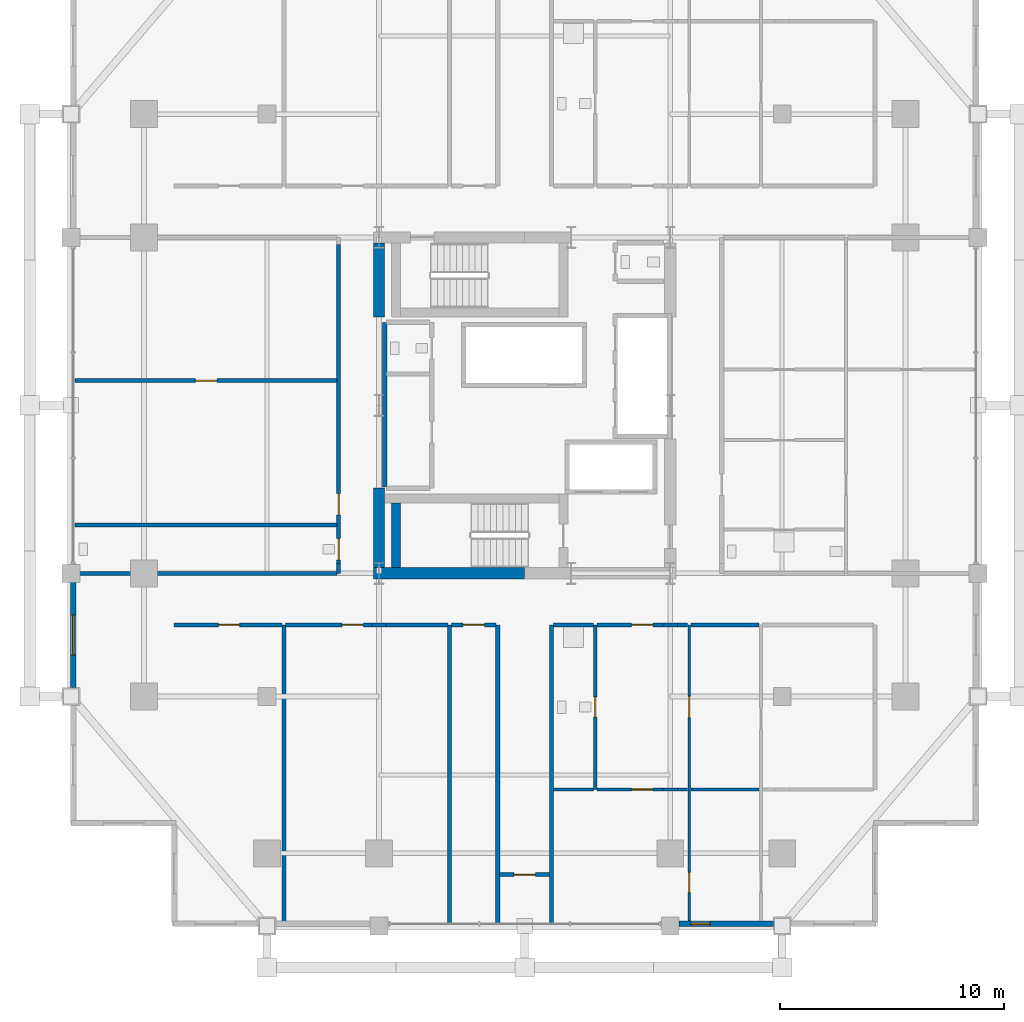
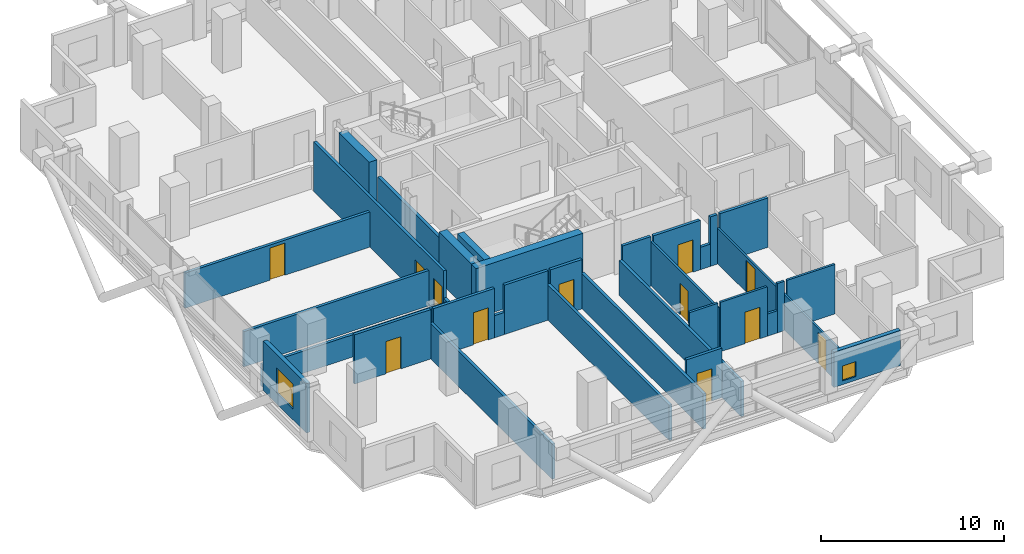
# One storey, part 19 of 25: 34 walls, 12 doors, 2 windows, 14 openings.
"""IFC4 building model written with IfcOpenShell, lengths in metres."""

from ifc_helpers import new_model, si_unit, direction, frame, frame_2d, origin, place, context, subcontext, project, spatial, rectangle, extrude, material, layer, layer_set, type_object, element, fill, save


model = new_model("IFC4")

# Units and contexts
model_context = context("Model", 3, precision=1e-05, world=origin(), true_north=direction((0.0, 1.0)))
body_context = subcontext(model_context, "Body", "Model", "MODEL_VIEW")
ifc_project = project(units=[si_unit("LENGTHUNIT", "METRE"), si_unit("AREAUNIT", "SQUARE_METRE"), si_unit("VOLUMEUNIT", "CUBIC_METRE"), si_unit("PLANEANGLEUNIT", "RADIAN"), si_unit("MASSUNIT", "GRAM", prefix="KILO")], contexts=[model_context])

# Site, building, storey
site_placement = place(None, origin())
site = spatial("IfcSite", under=ifc_project, at=site_placement, CompositionType="ELEMENT")
building_placement = place(site_placement, origin())
building = spatial("IfcBuilding", under=site, at=building_placement, Name="Barlavira Tower and Art Museum", CompositionType="ELEMENT")
storey_placement = place(building_placement, frame((0.0, 0.0, 162.0)))
storey = spatial("IfcBuildingStorey", under=building, at=storey_placement, Name="L41", CompositionType="ELEMENT", Elevation=162.0)

# Wall, openings, doors
ifc_material_1 = material(Name="Gypsum acoustic stud partition", Category="gypsum")
ifc_layer_1 = layer(ifc_material_1, 0.1201171875, Name="Gypsum acoustic stud partition")
ifc_layer_set_1 = layer_set([ifc_layer_1], Name="Gypsum acoustic stud partition")
wall_type_1 = type_object("IfcWallType", Name="Apartment Internal Acoustic Partition 120", PredefinedType="PARTITIONING", material=ifc_layer_set_1)
wall_1_placement = place(storey_placement, frame((7.35009765625, -23.14990234375, 0.0), z_axis=(0.0, 0.0, 1.0), x_axis=(0.0, 1.0, 0.0)))
wall_1 = element("IfcWall", 1, at=wall_1_placement, inside=storey, type_object=wall_type_1, Name="L41 Partition Wall 17", PredefinedType="PARTITIONING", context=body_context, shape_type="SweptSolid", body=[
    extrude(rectangle(XDim=13.349853515625, YDim=0.1201171875, at=frame_2d((6.6748046875, 0.0))), origin(), (0.0, 0.0, 1.0), 2.35302734375),
])
opening_1_placement = place(wall_1_placement, frame((9.205078125, 0.0, 0.0)))
opening_1 = element("IfcOpeningElement", 2, at=opening_1_placement, cuts=wall_1, Name="Opening D-02", PredefinedType="OPENING", context=body_context, shape_type="SweptSolid", body=[
    extrude(rectangle(XDim=0.949951171875, YDim=2.10009765625, at=frame_2d((0.47509765625, 1.050048828125))), frame((0.0, 0.070068359375, 0.0), z_axis=(0.0, -1.0, 0.0), x_axis=(1.0, 0.0, 0.0)), (0.0, 0.0, 1.0), 0.14013671875),
])
opening_2_placement = place(wall_1_placement, frame((1.39892578125, 0.0, 0.0)))
opening_2 = element("IfcOpeningElement", 3, at=opening_2_placement, cuts=wall_1, Name="Opening D-01", PredefinedType="OPENING", context=body_context, shape_type="SweptSolid", body=[
    extrude(rectangle(XDim=0.89990234375, YDim=2.10009765625, at=frame_2d((0.449951171875, 1.050048828125))), frame((0.0, 0.070068359375, 0.0), z_axis=(0.0, -1.0, 0.0), x_axis=(1.0, 0.0, 0.0)), (0.0, 0.0, 1.0), 0.14013671875),
])
ifc_material_2 = material(Name="Engineered coastal hardwood", Category="wood")
door_type_1 = type_object("IfcDoorType", Name="Internal Bedroom Timber Flush Door 900x2100", OperationType="NOTDEFINED", PredefinedType="DOOR", material=ifc_material_2)
door_1_placement = place(opening_2_placement, origin())
door_1 = element("IfcDoor", 4, at=door_1_placement, inside=storey, type_object=door_type_1, Name="Apartment SE1 Bedroom 1 Door", OperationType="SINGLE_SWING_RIGHT", OverallHeight=2.10009765625, OverallWidth=0.89990234375, PredefinedType="DOOR", context=body_context, shape_type="SweptSolid", body=[
    extrude(rectangle(XDim=0.89990234375, YDim=2.10009765625, at=frame_2d((0.449951171875, 1.050048828125))), frame((0.0, 0.02490234375, 0.0), z_axis=(0.0, -1.0, 0.0), x_axis=(1.0, 0.0, 0.0)), (0.0, 0.0, 1.0), 0.050048828125),
])
fill(opening_2, door_1)
door_type_2 = type_object("IfcDoorType", Name="Living and Salon Glazed-Leaf Door 950x2100", OperationType="NOTDEFINED", PredefinedType="DOOR", material=ifc_material_2)
door_2_placement = place(opening_1_placement, origin())
door_2 = element("IfcDoor", 5, at=door_2_placement, inside=storey, type_object=door_type_2, Name="Apartment SE1 Kitchen Door", OperationType="SINGLE_SWING_LEFT", OverallHeight=2.10009765625, OverallWidth=0.949951171875, PredefinedType="DOOR", context=body_context, shape_type="SweptSolid", body=[
    extrude(rectangle(XDim=0.949951171875, YDim=2.10009765625, at=frame_2d((0.47509765625, 1.050048828125))), frame((0.0, 0.02490234375, 0.0), z_axis=(0.0, -1.0, 0.0), x_axis=(1.0, 0.0, 0.0)), (0.0, 0.0, 1.0), 0.050048828125),
])
fill(opening_1, door_2)

# Walls
ifc_material_3 = material(Name="Concrete C60", Category="concrete")
ifc_layer_2 = layer(ifc_material_3, 0.5, Name="Concrete C60")
ifc_layer_set_2 = layer_set([ifc_layer_2], Name="Concrete C60")
wall_type_2 = type_object("IfcWallType", Name="Core Structural Shear Wall 500 Concrete C60", PredefinedType="SHEAR", material=ifc_layer_set_2)
wall_2_placement = place(storey_placement, frame((-6.75, -7.5, 0.0), z_axis=(0.0, 0.0, 1.0), x_axis=(1.0, 0.0, 0.0)))
element("IfcWall", 6, at=wall_2_placement, inside=storey, type_object=wall_type_2, Name="L41 Core Shear Wall CS-SW", PredefinedType="SHEAR", context=body_context, shape_type="SweptSolid", body=[
    extrude(rectangle(XDim=6.75, YDim=0.5, at=frame_2d((3.375, 0.0))), origin(), (0.0, 0.0, 1.0), 3.300048828125),
])
wall_3_placement = place(storey_placement, frame((-6.5, -7.25, 0.0), z_axis=(0.0, 0.0, 1.0), x_axis=(0.0, 1.0, 0.0)))
element("IfcWall", 7, at=wall_3_placement, inside=storey, type_object=wall_type_2, Name="L41 Core Shear Wall CS-W1", PredefinedType="SHEAR", context=body_context, shape_type="SweptSolid", body=[
    extrude(rectangle(XDim=3.550048828125, YDim=0.5, at=frame_2d((1.77490234375, 0.0))), origin(), (0.0, 0.0, 1.0), 3.300048828125),
])
wall_4_placement = place(storey_placement, frame((-6.5, 3.949951171875, 0.0), z_axis=(0.0, 0.0, 1.0), x_axis=(0.0, 1.0, 0.0)))
element("IfcWall", 8, at=wall_4_placement, inside=storey, type_object=wall_type_2, Name="L41 Core Shear Wall CS-W2", PredefinedType="SHEAR", context=body_context, shape_type="SweptSolid", body=[
    extrude(rectangle(XDim=3.300048828125, YDim=0.5, at=frame_2d((1.64990234375, 0.0))), origin(), (0.0, 0.0, 1.0), 3.300048828125),
])
ifc_material_4 = material(Name="Autoclaved aerated concrete masonry", Category="masonry")
ifc_layer_3 = layer(ifc_material_4, 0.199951171875, Name="Autoclaved aerated concrete masonry")
ifc_layer_set_3 = layer_set([ifc_layer_3], Name="Autoclaved aerated concrete masonry")
wall_type_3 = type_object("IfcWallType", Name="Fire Compartment and Shaft Wall 200", PredefinedType="SOLIDWALL", material=ifc_layer_set_3)
wall_5_placement = place(storey_placement, frame((-6.25, -3.639892578125, 0.0), z_axis=(0.0, 0.0, 1.0), x_axis=(0.0, 1.0, 0.0)))
element("IfcWall", 9, at=wall_5_placement, inside=storey, type_object=wall_type_3, Name="L41 Partition Wall 6", PredefinedType="SOLIDWALL", context=body_context, shape_type="SweptSolid", body=[
    extrude(rectangle(XDim=7.33984375, YDim=0.199951171875, at=frame_2d((3.669921875, 0.0))), origin(), (0.0, 0.0, 1.0), 2.35302734375),
])
ifc_layer_4 = layer(ifc_material_1, 0.179931640625, Name="Gypsum acoustic stud partition")
ifc_layer_set_4 = layer_set([ifc_layer_4], Name="Gypsum acoustic stud partition")
wall_type_4 = type_object("IfcWallType", Name="Inter-Tenancy Party Partition Wall 180", PredefinedType="PARTITIONING", material=ifc_layer_set_4)
wall_6_placement = place(storey_placement, frame((-10.75, -23.14990234375, 0.0), z_axis=(0.0, 0.0, 1.0), x_axis=(0.0, 1.0, 0.0)))
element("IfcWall", 10, at=wall_6_placement, inside=storey, type_object=wall_type_4, Name="L41 Partition Wall 1", PredefinedType="PARTITIONING", context=body_context, shape_type="SweptSolid", body=[
    extrude(rectangle(XDim=13.349853515625, YDim=0.179931640625, at=frame_2d((6.6748046875, 0.0))), origin(), (0.0, 0.0, 1.0), 2.35302734375),
])
wall_7_placement = place(storey_placement, frame((-8.300048828125, -7.5, 0.0), z_axis=(0.0, 0.0, 1.0), x_axis=(0.0, 1.0, 0.0)))
element("IfcWall", 11, at=wall_7_placement, inside=storey, type_object=wall_type_4, Name="L41 Partition Wall 3", PredefinedType="PARTITIONING", context=body_context, shape_type="SweptSolid", body=[
    extrude(rectangle(XDim=0.449951171875, YDim=0.179931640625, at=frame_2d((0.22509765625, 0.0))), origin(), (0.0, 0.0, 1.0), 1.485107421875),
])

# Wall, openings, doors
wall_8_placement = place(storey_placement, frame((-8.300048828125, -7.050048828125, 0.0), z_axis=(0.0, 0.0, 1.0), x_axis=(0.0, 1.0, 0.0)))
wall_8 = element("IfcWall", 12, at=wall_8_placement, inside=storey, type_object=wall_type_4, Name="L41 Partition Wall 4", PredefinedType="PARTITIONING", context=body_context, shape_type="SweptSolid", body=[
    extrude(rectangle(XDim=14.235107421875, YDim=0.179931640625, at=frame_2d((7.11767578125, 0.0))), origin(), (0.0, 0.0, 1.0), 3.300048828125),
])
opening_3_placement = place(wall_8_placement, frame((0.155029296875, 0.0, 0.0)))
opening_3 = element("IfcOpeningElement", 13, at=opening_3_placement, cuts=wall_8, Name="Opening FD-60", PredefinedType="OPENING", context=body_context, shape_type="SweptSolid", body=[
    extrude(rectangle(XDim=0.949951171875, YDim=2.14990234375, at=frame_2d((0.47509765625, 1.074951171875))), frame((0.0, 0.10009765625, 0.0), z_axis=(0.0, -1.0, 0.0), x_axis=(1.0, 0.0, 0.0)), (0.0, 0.0, 1.0), 0.199951171875),
])
opening_4_placement = place(wall_8_placement, frame((2.155029296875, 0.0, 0.0)))
opening_4 = element("IfcOpeningElement", 14, at=opening_4_placement, cuts=wall_8, Name="Opening FD-60", PredefinedType="OPENING", context=body_context, shape_type="SweptSolid", body=[
    extrude(rectangle(XDim=0.949951171875, YDim=2.14990234375, at=frame_2d((0.47509765625, 1.074951171875))), frame((0.0, 0.10009765625, 0.0), z_axis=(0.0, -1.0, 0.0), x_axis=(1.0, 0.0, 0.0)), (0.0, 0.0, 1.0), 0.199951171875),
])
ifc_material_5 = material(Name="Brushed stainless steel", Category="steel")
door_type_3 = type_object("IfcDoorType", Name="Apartment Entrance and Riser Fire Door 950x2150 FD60S", OperationType="NOTDEFINED", PredefinedType="DOOR", material=ifc_material_5)
door_3_placement = place(opening_3_placement, origin())
door_3 = element("IfcDoor", 15, at=door_3_placement, inside=storey, type_object=door_type_3, Name="Wellness Changing and Accessible Shower WC Door", OperationType="SINGLE_SWING_LEFT", OverallHeight=2.14990234375, OverallWidth=0.949951171875, PredefinedType="DOOR", context=body_context, shape_type="SweptSolid", body=[
    extrude(rectangle(XDim=0.949951171875, YDim=2.14990234375, at=frame_2d((0.47509765625, 1.074951171875))), frame((0.0, 0.02490234375, 0.0), z_axis=(0.0, -1.0, 0.0), x_axis=(1.0, 0.0, 0.0)), (0.0, 0.0, 1.0), 0.050048828125),
])
fill(opening_3, door_3)
door_4_placement = place(opening_4_placement, origin())
door_4 = element("IfcDoor", 16, at=door_4_placement, inside=storey, type_object=door_type_3, Name="Resident Ocean-View Fitness Studio Door", OperationType="SINGLE_SWING_RIGHT", OverallHeight=2.14990234375, OverallWidth=0.949951171875, PredefinedType="DOOR", context=body_context, shape_type="SweptSolid", body=[
    extrude(rectangle(XDim=0.949951171875, YDim=2.14990234375, at=frame_2d((0.47509765625, 1.074951171875))), frame((0.0, 0.02490234375, 0.0), z_axis=(0.0, -1.0, 0.0), x_axis=(1.0, 0.0, 0.0)), (0.0, 0.0, 1.0), 0.050048828125),
])
fill(opening_4, door_4)

# Walls
for number, where, z_axis, x_axis, name in (
    (17, (-3.35009765625, -23.14990234375, 0.0), (0.0, 0.0, 1.0), (0.0, 1.0, 0.0), "L41 Partition Wall 8"),
    (18, (-1.199951171875, -23.14990234375, 0.0), (0.0, 0.0, 1.0), (0.0, 1.0, 0.0), "L41 Partition Wall 10"),
    (19, (1.199951171875, -23.14990234375, 0.0), (0.0, 0.0, 1.0), (0.0, 1.0, 0.0), "L41 Partition Wall 12"),
):
    element("IfcWall", number, at=place(storey_placement, frame(where, z_axis=z_axis, x_axis=x_axis)), inside=storey, type_object=wall_type_4, Name=name, PredefinedType="PARTITIONING", context=body_context, shape_type="SweptSolid", body=[
        extrude(rectangle(XDim=13.349853515625, YDim=0.179931640625, at=frame_2d((6.6748046875, 0.0))), origin(), (0.0, 0.0, 1.0), 2.35302734375),
    ])

# Wall, opening, door
wall_9_placement = place(storey_placement, frame((-1.1201171875, -20.949951171875, 0.0), z_axis=(0.0, 0.0, 1.0), x_axis=(1.0, 0.0, 0.0)))
wall_9 = element("IfcWall", 20, at=wall_9_placement, inside=storey, type_object=wall_type_4, Name="L41 Partition Wall 33", PredefinedType="PARTITIONING", context=body_context, shape_type="SweptSolid", body=[
    extrude(rectangle(XDim=2.240234375, YDim=0.179931640625, at=frame_2d((1.1201171875, 0.0))), origin(), (0.0, 0.0, 1.0), 3.300048828125),
])
opening_5_placement = place(wall_9_placement, frame((0.64501953125, 0.0, 0.0)))
opening_5 = element("IfcOpeningElement", 21, at=opening_5_placement, cuts=wall_9, Name="Opening FD-60", PredefinedType="OPENING", context=body_context, shape_type="SweptSolid", body=[
    extrude(rectangle(XDim=0.949951171875, YDim=2.14990234375, at=frame_2d((0.47509765625, 1.074951171875))), frame((0.0, 0.10009765625, 0.0), z_axis=(0.0, -1.0, 0.0), x_axis=(1.0, 0.0, 0.0)), (0.0, 0.0, 1.0), 0.199951171875),
])
door_5_placement = place(opening_5_placement, origin())
door_5 = element("IfcDoor", 22, at=door_5_placement, inside=storey, type_object=door_type_3, Name="L41 South Horizon Reading Alcove Door", OperationType="SINGLE_SWING_LEFT", OverallHeight=2.14990234375, OverallWidth=0.949951171875, PredefinedType="DOOR", context=body_context, shape_type="SweptSolid", body=[
    extrude(rectangle(XDim=0.949951171875, YDim=2.14990234375, at=frame_2d((0.47509765625, 1.074951171875))), frame((0.0, 0.02490234375, 0.0), z_axis=(0.0, -1.0, 0.0), x_axis=(1.0, 0.0, 0.0)), (0.0, 0.0, 1.0), 0.050048828125),
])
fill(opening_5, door_5)

wall_10_placement = place(storey_placement, frame((-15.64990234375, -9.800048828125, 0.0), z_axis=(0.0, 0.0, 1.0), x_axis=(1.0, 0.0, 0.0)))
wall_10 = element("IfcWall", 23, at=wall_10_placement, inside=storey, type_object=wall_type_4, Name="L41 Partition Wall 42", PredefinedType="PARTITIONING", context=body_context, shape_type="SweptSolid", body=[
    extrude(rectangle(XDim=4.81982421875, YDim=0.179931640625, at=frame_2d((2.409912109375, 0.0))), origin(), (0.0, 0.0, 1.0), 3.300048828125),
])
opening_6_placement = place(wall_10_placement, frame((1.97509765625, 0.0, 0.0)))
opening_6 = element("IfcOpeningElement", 24, at=opening_6_placement, cuts=wall_10, Name="Opening FD-60", PredefinedType="OPENING", context=body_context, shape_type="SweptSolid", body=[
    extrude(rectangle(XDim=0.949951171875, YDim=2.14990234375, at=frame_2d((0.47509765625, 1.074951171875))), frame((0.0, 0.10009765625, 0.0), z_axis=(0.0, -1.0, 0.0), x_axis=(1.0, 0.0, 0.0)), (0.0, 0.0, 1.0), 0.199951171875),
])
door_6_placement = place(opening_6_placement, origin())
door_6 = element("IfcDoor", 25, at=door_6_placement, inside=storey, type_object=door_type_3, Name="Resident Sky Coworking Studio Door", OperationType="SINGLE_SWING_RIGHT", OverallHeight=2.14990234375, OverallWidth=0.949951171875, PredefinedType="DOOR", context=body_context, shape_type="SweptSolid", body=[
    extrude(rectangle(XDim=0.949951171875, YDim=2.14990234375, at=frame_2d((0.47509765625, 1.074951171875))), frame((0.0, 0.02490234375, 0.0), z_axis=(0.0, -1.0, 0.0), x_axis=(1.0, 0.0, 0.0)), (0.0, 0.0, 1.0), 0.050048828125),
])
fill(opening_6, door_6)

wall_11_placement = place(storey_placement, frame((-10.669921875, -9.800048828125, 0.0), z_axis=(0.0, 0.0, 1.0), x_axis=(1.0, 0.0, 0.0)))
wall_11 = element("IfcWall", 26, at=wall_11_placement, inside=storey, type_object=wall_type_4, Name="L41 Partition Wall 43", PredefinedType="PARTITIONING", context=body_context, shape_type="SweptSolid", body=[
    extrude(rectangle(XDim=3.85498046875, YDim=0.179931640625, at=frame_2d((1.927490234375, 0.0))), origin(), (0.0, 0.0, 1.0), 3.300048828125),
])
opening_7_placement = place(wall_11_placement, frame((2.5185546875, 0.0, 0.0)))
opening_7 = element("IfcOpeningElement", 27, at=opening_7_placement, cuts=wall_11, Name="Opening FD-60", PredefinedType="OPENING", context=body_context, shape_type="SweptSolid", body=[
    extrude(rectangle(XDim=0.949951171875, YDim=2.14990234375, at=frame_2d((0.47509765625, 1.074951171875))), frame((0.0, 0.10009765625, 0.0), z_axis=(0.0, -1.0, 0.0), x_axis=(1.0, 0.0, 0.0)), (0.0, 0.0, 1.0), 0.199951171875),
])
door_7_placement = place(opening_7_placement, origin())
door_7 = element("IfcDoor", 28, at=door_7_placement, inside=storey, type_object=door_type_3, Name="Atlantic Horizon Boardroom Door", OperationType="SINGLE_SWING_LEFT", OverallHeight=2.14990234375, OverallWidth=0.949951171875, PredefinedType="DOOR", context=body_context, shape_type="SweptSolid", body=[
    extrude(rectangle(XDim=0.949951171875, YDim=2.14990234375, at=frame_2d((0.47509765625, 1.074951171875))), frame((0.0, 0.02490234375, 0.0), z_axis=(0.0, -1.0, 0.0), x_axis=(1.0, 0.0, 0.0)), (0.0, 0.0, 1.0), 0.050048828125),
])
fill(opening_7, door_7)

# Walls
wall_12_placement = place(storey_placement, frame((-6.81494140625, -9.800048828125, 0.0), z_axis=(0.0, 0.0, 1.0), x_axis=(1.0, 0.0, 0.0)))
element("IfcWall", 29, at=wall_12_placement, inside=storey, type_object=wall_type_4, Name="L41 Partition Wall 44", PredefinedType="PARTITIONING", context=body_context, shape_type="SweptSolid", body=[
    extrude(rectangle(XDim=0.6298828125, YDim=0.179931640625, at=frame_2d((0.31494140625, 0.0))), origin(), (0.0, 0.0, 1.0), 1.485107421875),
])
wall_13_placement = place(storey_placement, frame((-6.18505859375, -9.800048828125, 0.0), z_axis=(0.0, 0.0, 1.0), x_axis=(1.0, 0.0, 0.0)))
element("IfcWall", 30, at=wall_13_placement, inside=storey, type_object=wall_type_4, Name="L41 Partition Wall 45", PredefinedType="PARTITIONING", context=body_context, shape_type="SweptSolid", body=[
    extrude(rectangle(XDim=2.755126953125, YDim=0.179931640625, at=frame_2d((1.37744140625, 0.0))), origin(), (0.0, 0.0, 1.0), 3.300048828125),
])

# Wall, opening, door
wall_14_placement = place(storey_placement, frame((-3.27001953125, -9.800048828125, 0.0), z_axis=(0.0, 0.0, 1.0), x_axis=(1.0, 0.0, 0.0)))
wall_14 = element("IfcWall", 31, at=wall_14_placement, inside=storey, type_object=wall_type_4, Name="L41 Partition Wall 46", PredefinedType="PARTITIONING", context=body_context, shape_type="SweptSolid", body=[
    extrude(rectangle(XDim=1.989990234375, YDim=0.179931640625, at=frame_2d((0.9951171875, 0.0))), origin(), (0.0, 0.0, 1.0), 3.300048828125),
])
opening_8_placement = place(wall_14_placement, frame((0.52490234375, 0.0, 0.0)))
opening_8 = element("IfcOpeningElement", 32, at=opening_8_placement, cuts=wall_14, Name="Opening FD-60", PredefinedType="OPENING", context=body_context, shape_type="SweptSolid", body=[
    extrude(rectangle(XDim=0.949951171875, YDim=2.14990234375, at=frame_2d((0.47509765625, 1.074951171875))), frame((0.0, 0.10009765625, 0.0), z_axis=(0.0, -1.0, 0.0), x_axis=(1.0, 0.0, 0.0)), (0.0, 0.0, 1.0), 0.199951171875),
])
door_8_placement = place(opening_8_placement, origin())
door_8 = element("IfcDoor", 33, at=door_8_placement, inside=storey, type_object=door_type_3, Name="Shared Coworking Espresso Pantry Door", OperationType="SINGLE_SWING_RIGHT", OverallHeight=2.14990234375, OverallWidth=0.949951171875, PredefinedType="DOOR", context=body_context, shape_type="SweptSolid", body=[
    extrude(rectangle(XDim=0.949951171875, YDim=2.14990234375, at=frame_2d((0.47509765625, 1.074951171875))), frame((0.0, 0.02490234375, 0.0), z_axis=(0.0, -1.0, 0.0), x_axis=(1.0, 0.0, 0.0)), (0.0, 0.0, 1.0), 0.050048828125),
])
fill(opening_8, door_8)

# Wall
wall_15_placement = place(storey_placement, frame((1.280029296875, -9.800048828125, 0.0), z_axis=(0.0, 0.0, 1.0), x_axis=(1.0, 0.0, 0.0)))
element("IfcWall", 34, at=wall_15_placement, inside=storey, type_object=wall_type_4, Name="L41 Partition Wall 47", PredefinedType="PARTITIONING", context=body_context, shape_type="SweptSolid", body=[
    extrude(rectangle(XDim=1.7900390625, YDim=0.179931640625, at=frame_2d((0.89501953125, 0.0))), origin(), (0.0, 0.0, 1.0), 3.300048828125),
])

# Wall, opening, door
wall_16_placement = place(storey_placement, frame((3.22998046875, -9.800048828125, 0.0), z_axis=(0.0, 0.0, 1.0), x_axis=(1.0, 0.0, 0.0)))
wall_16 = element("IfcWall", 35, at=wall_16_placement, inside=storey, type_object=wall_type_4, Name="L41 Partition Wall 48", PredefinedType="PARTITIONING", context=body_context, shape_type="SweptSolid", body=[
    extrude(rectangle(XDim=2.955078125, YDim=0.179931640625, at=frame_2d((1.4775390625, 0.0))), origin(), (0.0, 0.0, 1.0), 3.300048828125),
])
opening_9_placement = place(wall_16_placement, frame((1.544921875, 0.0, 0.0)))
opening_9 = element("IfcOpeningElement", 36, at=opening_9_placement, cuts=wall_16, Name="Opening FD-60", PredefinedType="OPENING", context=body_context, shape_type="SweptSolid", body=[
    extrude(rectangle(XDim=0.949951171875, YDim=2.14990234375, at=frame_2d((0.47509765625, 1.074951171875))), frame((0.0, 0.10009765625, 0.0), z_axis=(0.0, -1.0, 0.0), x_axis=(1.0, 0.0, 0.0)), (0.0, 0.0, 1.0), 0.199951171875),
])
door_9_placement = place(opening_9_placement, origin())
door_9 = element("IfcDoor", 37, at=door_9_placement, inside=storey, type_object=door_type_3, Name="Apartment Entrance Hall SE1 Door", OperationType="SINGLE_SWING_RIGHT", OverallHeight=2.14990234375, OverallWidth=0.949951171875, PredefinedType="DOOR", context=body_context, shape_type="SweptSolid", body=[
    extrude(rectangle(XDim=0.949951171875, YDim=2.14990234375, at=frame_2d((0.47509765625, 1.074951171875))), frame((0.0, 0.02490234375, 0.0), z_axis=(0.0, -1.0, 0.0), x_axis=(1.0, 0.0, 0.0)), (0.0, 0.0, 1.0), 0.050048828125),
])
fill(opening_9, door_9)

# Walls
wall_17_placement = place(storey_placement, frame((6.18505859375, -9.800048828125, 0.0), z_axis=(0.0, 0.0, 1.0), x_axis=(1.0, 0.0, 0.0)))
element("IfcWall", 38, at=wall_17_placement, inside=storey, type_object=wall_type_4, Name="L41 Partition Wall 49", PredefinedType="PARTITIONING", context=body_context, shape_type="SweptSolid", body=[
    extrude(rectangle(XDim=0.6298828125, YDim=0.179931640625, at=frame_2d((0.31494140625, 0.0))), origin(), (0.0, 0.0, 1.0), 1.485107421875),
])
wall_18_placement = place(storey_placement, frame((6.81494140625, -9.800048828125, 0.0), z_axis=(0.0, 0.0, 1.0), x_axis=(1.0, 0.0, 0.0)))
element("IfcWall", 39, at=wall_18_placement, inside=storey, type_object=wall_type_4, Name="L41 Partition Wall 50", PredefinedType="PARTITIONING", context=body_context, shape_type="SweptSolid", body=[
    extrude(rectangle(XDim=0.455078125, YDim=0.179931640625, at=frame_2d((0.2275390625, 0.0))), origin(), (0.0, 0.0, 1.0), 3.300048828125),
])
wall_19_placement = place(storey_placement, frame((7.429931640625, -9.800048828125, 0.0), z_axis=(0.0, 0.0, 1.0), x_axis=(1.0, 0.0, 0.0)))
element("IfcWall", 40, at=wall_19_placement, inside=storey, type_object=wall_type_4, Name="L41 Partition Wall 51", PredefinedType="PARTITIONING", context=body_context, shape_type="SweptSolid", body=[
    extrude(rectangle(XDim=3.0400390625, YDim=0.179931640625, at=frame_2d((1.52001953125, 0.0))), origin(), (0.0, 0.0, 1.0), 3.300048828125),
])
wall_20_placement = place(storey_placement, frame((-20.14990234375, -7.5, 0.0), z_axis=(0.0, 0.0, 1.0), x_axis=(1.0, 0.0, 0.0)))
element("IfcWall", 41, at=wall_20_placement, inside=storey, type_object=wall_type_4, Name="L41 Partition Wall 53", PredefinedType="PARTITIONING", context=body_context, shape_type="SweptSolid", body=[
    extrude(rectangle(XDim=11.77001953125, YDim=0.179931640625, at=frame_2d((5.885009765625, 0.0))), origin(), (0.0, 0.0, 1.0), 1.485107421875),
])
wall_21_placement = place(storey_placement, frame((-20.070068359375, -5.35009765625, 0.0), z_axis=(0.0, 0.0, 1.0), x_axis=(1.0, 0.0, 0.0)))
element("IfcWall", 42, at=wall_21_placement, inside=storey, type_object=wall_type_4, Name="L41 Partition Wall 57", PredefinedType="PARTITIONING", context=body_context, shape_type="SweptSolid", body=[
    extrude(rectangle(XDim=11.690185546875, YDim=0.179931640625, at=frame_2d((5.84521484375, 0.0))), origin(), (0.0, 0.0, 1.0), 2.35302734375),
])

# Wall, opening, door
wall_22_placement = place(storey_placement, frame((-20.070068359375, 1.10009765625, 0.0), z_axis=(0.0, 0.0, 1.0), x_axis=(1.0, 0.0, 0.0)))
wall_22 = element("IfcWall", 43, at=wall_22_placement, inside=storey, type_object=wall_type_4, Name="L41 Partition Wall 60", PredefinedType="PARTITIONING", context=body_context, shape_type="SweptSolid", body=[
    extrude(rectangle(XDim=11.690185546875, YDim=0.179931640625, at=frame_2d((5.84521484375, 0.0))), origin(), (0.0, 0.0, 1.0), 2.35302734375),
])
opening_10_placement = place(wall_22_placement, frame((5.375, 0.0, 0.0)))
opening_10 = element("IfcOpeningElement", 44, at=opening_10_placement, cuts=wall_22, Name="Opening FD-60", PredefinedType="OPENING", context=body_context, shape_type="SweptSolid", body=[
    extrude(rectangle(XDim=0.949951171875, YDim=2.14990234375, at=frame_2d((0.47509765625, 1.074951171875))), frame((0.0, 0.10009765625, 0.0), z_axis=(0.0, -1.0, 0.0), x_axis=(1.0, 0.0, 0.0)), (0.0, 0.0, 1.0), 0.199951171875),
])
door_10_placement = place(opening_10_placement, origin())
door_10 = element("IfcDoor", 45, at=door_10_placement, inside=storey, type_object=door_type_3, Name="Coastal Hydrotherapy and Yoga Lounge Door", OperationType="SINGLE_SWING_LEFT", OverallHeight=2.14990234375, OverallWidth=0.949951171875, PredefinedType="DOOR", context=body_context, shape_type="SweptSolid", body=[
    extrude(rectangle(XDim=0.949951171875, YDim=2.14990234375, at=frame_2d((0.47509765625, 1.074951171875))), frame((0.0, 0.02490234375, 0.0), z_axis=(0.0, -1.0, 0.0), x_axis=(1.0, 0.0, 0.0)), (0.0, 0.0, 1.0), 0.050048828125),
])
fill(opening_10, door_10)

ifc_layer_5 = layer(ifc_material_1, 0.139892578125, Name="Gypsum acoustic stud partition")
ifc_layer_set_5 = layer_set([ifc_layer_5], Name="Gypsum acoustic stud partition")
wall_type_5 = type_object("IfcWallType", Name="Moisture-Resistant Bathroom Partition 140", PredefinedType="PARTITIONING", material=ifc_layer_set_5)
wall_23_placement = place(storey_placement, frame((3.14990234375, -17.14990234375, 0.0), z_axis=(0.0, 0.0, 1.0), x_axis=(0.0, 1.0, 0.0)))
wall_23 = element("IfcWall", 46, at=wall_23_placement, inside=storey, type_object=wall_type_5, Name="L41 Partition Wall 14", PredefinedType="PARTITIONING", context=body_context, shape_type="SweptSolid", body=[
    extrude(rectangle(XDim=7.349853515625, YDim=0.139892578125, at=frame_2d((3.6748046875, 0.0))), origin(), (0.0, 0.0, 1.0), 2.930908203125),
])
opening_11_placement = place(wall_23_placement, frame((3.22998046875, 0.0, 0.0)))
opening_11 = element("IfcOpeningElement", 47, at=opening_11_placement, cuts=wall_23, Name="Opening D-WC", PredefinedType="OPENING", context=body_context, shape_type="SweptSolid", body=[
    extrude(rectangle(XDim=0.89990234375, YDim=2.10009765625, at=frame_2d((0.449951171875, 1.050048828125))), frame((0.0, 0.080078125, 0.0), z_axis=(0.0, -1.0, 0.0), x_axis=(1.0, 0.0, 0.0)), (0.0, 0.0, 1.0), 0.159912109375),
])
door_type_4 = type_object("IfcDoorType", Name="Accessible Bathroom Flush Door 900x2100", OperationType="NOTDEFINED", PredefinedType="DOOR", material=ifc_material_2)
door_11_placement = place(opening_11_placement, origin())
door_11 = element("IfcDoor", 48, at=door_11_placement, inside=storey, type_object=door_type_4, Name="Apartment SE1 Hall Bathroom Door", OperationType="SINGLE_SWING_LEFT", OverallHeight=2.10009765625, OverallWidth=0.89990234375, PredefinedType="DOOR", context=body_context, shape_type="SweptSolid", body=[
    extrude(rectangle(XDim=0.89990234375, YDim=2.10009765625, at=frame_2d((0.449951171875, 1.050048828125))), frame((0.0, 0.02490234375, 0.0), z_axis=(0.0, -1.0, 0.0), x_axis=(1.0, 0.0, 0.0)), (0.0, 0.0, 1.0), 0.050048828125),
])
fill(opening_11, door_11)

# Wall
wall_24_placement = place(storey_placement, frame((1.280029296875, -17.14990234375, 0.0), z_axis=(0.0, 0.0, 1.0), x_axis=(1.0, 0.0, 0.0)))
element("IfcWall", 49, at=wall_24_placement, inside=storey, type_object=wall_type_5, Name="L41 Partition Wall 34", PredefinedType="PARTITIONING", context=body_context, shape_type="SweptSolid", body=[
    extrude(rectangle(XDim=1.7900390625, YDim=0.139892578125, at=frame_2d((0.89501953125, 0.0))), origin(), (0.0, 0.0, 1.0), 3.300048828125),
])

# Wall, opening, door
wall_25_placement = place(storey_placement, frame((3.22998046875, -17.14990234375, 0.0), z_axis=(0.0, 0.0, 1.0), x_axis=(1.0, 0.0, 0.0)))
wall_25 = element("IfcWall", 50, at=wall_25_placement, inside=storey, type_object=wall_type_5, Name="L41 Partition Wall 35", PredefinedType="PARTITIONING", context=body_context, shape_type="SweptSolid", body=[
    extrude(rectangle(XDim=2.955078125, YDim=0.139892578125, at=frame_2d((1.4775390625, 0.0))), origin(), (0.0, 0.0, 1.0), 3.300048828125),
])
opening_12_placement = place(wall_25_placement, frame((1.544921875, 0.0, 0.0)))
opening_12 = element("IfcOpeningElement", 51, at=opening_12_placement, cuts=wall_25, Name="Opening D-02", PredefinedType="OPENING", context=body_context, shape_type="SweptSolid", body=[
    extrude(rectangle(XDim=0.949951171875, YDim=2.10009765625, at=frame_2d((0.47509765625, 1.050048828125))), frame((0.0, 0.080078125, 0.0), z_axis=(0.0, -1.0, 0.0), x_axis=(1.0, 0.0, 0.0)), (0.0, 0.0, 1.0), 0.159912109375),
])
door_12_placement = place(opening_12_placement, origin())
door_12 = element("IfcDoor", 52, at=door_12_placement, inside=storey, type_object=door_type_2, Name="Apartment SE1 Living Lounge Door", OperationType="SINGLE_SWING_LEFT", OverallHeight=2.10009765625, OverallWidth=0.949951171875, PredefinedType="DOOR", context=body_context, shape_type="SweptSolid", body=[
    extrude(rectangle(XDim=0.949951171875, YDim=2.10009765625, at=frame_2d((0.47509765625, 1.050048828125))), frame((0.0, 0.02490234375, 0.0), z_axis=(0.0, -1.0, 0.0), x_axis=(1.0, 0.0, 0.0)), (0.0, 0.0, 1.0), 0.050048828125),
])
fill(opening_12, door_12)

# Walls
wall_26_placement = place(storey_placement, frame((6.18505859375, -17.14990234375, 0.0), z_axis=(0.0, 0.0, 1.0), x_axis=(1.0, 0.0, 0.0)))
element("IfcWall", 53, at=wall_26_placement, inside=storey, type_object=wall_type_5, Name="L41 Partition Wall 36", PredefinedType="PARTITIONING", context=body_context, shape_type="SweptSolid", body=[
    extrude(rectangle(XDim=0.6298828125, YDim=0.139892578125, at=frame_2d((0.31494140625, 0.0))), origin(), (0.0, 0.0, 1.0), 1.485107421875),
])
wall_27_placement = place(storey_placement, frame((6.81494140625, -17.14990234375, 0.0), z_axis=(0.0, 0.0, 1.0), x_axis=(1.0, 0.0, 0.0)))
element("IfcWall", 54, at=wall_27_placement, inside=storey, type_object=wall_type_5, Name="L41 Partition Wall 37", PredefinedType="PARTITIONING", context=body_context, shape_type="SweptSolid", body=[
    extrude(rectangle(XDim=0.455078125, YDim=0.139892578125, at=frame_2d((0.2275390625, 0.0))), origin(), (0.0, 0.0, 1.0), 3.300048828125),
])
wall_28_placement = place(storey_placement, frame((7.429931640625, -17.14990234375, 0.0), z_axis=(0.0, 0.0, 1.0), x_axis=(1.0, 0.0, 0.0)))
element("IfcWall", 55, at=wall_28_placement, inside=storey, type_object=wall_type_5, Name="L41 Partition Wall 38", PredefinedType="PARTITIONING", context=body_context, shape_type="SweptSolid", body=[
    extrude(rectangle(XDim=3.0400390625, YDim=0.139892578125, at=frame_2d((1.52001953125, 0.0))), origin(), (0.0, 0.0, 1.0), 3.300048828125),
])

# Wall, opening, window
ifc_material_6 = material(Name="Precast concrete C40", Category="concrete")
ifc_layer_6 = layer(ifc_material_6, 0.25, Name="Precast concrete C40")
ifc_layer_set_6 = layer_set([ifc_layer_6], Name="Precast concrete C40")
wall_type_6 = type_object("IfcWallType", Name="Notched Corner Spandrel Wall 250 Precast Concrete C40", PredefinedType="SOLIDWALL", material=ifc_layer_set_6)
wall_29_placement = place(storey_placement, frame((6.89501953125, -23.14990234375, 0.0), z_axis=(0.0, 0.0, 1.0), x_axis=(1.0, 0.0, 0.0)))
wall_29 = element("IfcWall", 56, at=wall_29_placement, inside=storey, type_object=wall_type_6, Name="L41 Coastal Facade Pier Wall CW2-L41-S-4", PredefinedType="SOLIDWALL", context=body_context, shape_type="SweptSolid", body=[
    extrude(rectangle(XDim=4.2099609375, YDim=0.25, at=frame_2d((2.10498046875, 0.0))), origin(), (0.0, 0.0, 1.0), 2.35302734375),
])
opening_13_placement = place(wall_29_placement, frame((0.534912109375, 0.0, 0.25)))
opening_13 = element("IfcOpeningElement", 57, at=opening_13_placement, cuts=wall_29, Name="Opening WN-07", PredefinedType="OPENING", context=body_context, shape_type="SweptSolid", body=[
    extrude(rectangle(XDim=0.85009765625, YDim=1.0, at=frame_2d((0.425048828125, 0.5))), frame((0.0, 0.135009765625, 0.0), z_axis=(0.0, -1.0, 0.0), x_axis=(1.0, 0.0, 0.0)), (0.0, 0.0, 1.0), 0.27001953125),
])
ifc_material_7 = material(Name="Low-iron coastal laminated glass", Category="glass")
window_type_1 = type_object("IfcWindowType", Name="Transfer-Level Clerestory Window 850x1000", PartitioningType="SINGLE_PANEL", PredefinedType="WINDOW", material=ifc_material_7)
window_1_placement = place(opening_13_placement, origin())
window_1 = element("IfcWindow", 58, at=window_1_placement, inside=storey, type_object=window_type_1, Name="L41 Bedroom Recessed Window 1", OverallHeight=1.0, OverallWidth=0.85009765625, PartitioningType="SINGLE_PANEL", PredefinedType="WINDOW", context=body_context, shape_type="SweptSolid", body=[
    extrude(rectangle(XDim=0.85009765625, YDim=1.0, at=frame_2d((0.425048828125, 0.5))), frame((0.0, 0.030029296875, 0.0), z_axis=(0.0, -1.0, 0.0), x_axis=(1.0, 0.0, 0.0)), (0.0, 0.0, 1.0), 0.06005859375),
])
fill(opening_13, window_1)

wall_30_placement = place(storey_placement, frame((-20.14990234375, -7.89501953125, 0.0), z_axis=(0.0, 0.0, 1.0), x_axis=(0.0, -1.0, 0.0)))
wall_30 = element("IfcWall", 59, at=wall_30_placement, inside=storey, type_object=wall_type_6, Name="L41 Coastal Facade Pier Wall CW2-L41-W-4", PredefinedType="SOLIDWALL", context=body_context, shape_type="SweptSolid", body=[
    extrude(rectangle(XDim=4.7099609375, YDim=0.25, at=frame_2d((2.35498046875, 0.0))), origin(), (0.0, 0.0, 1.0), 3.300048828125),
])
opening_14_placement = place(wall_30_placement, frame((1.455078125, 0.0, 0.719970703125)))
opening_14 = element("IfcOpeningElement", 60, at=opening_14_placement, cuts=wall_30, Name="Opening WN-01", PredefinedType="OPENING", context=body_context, shape_type="SweptSolid", body=[
    extrude(rectangle(XDim=1.800048828125, YDim=1.679931640625, at=frame_2d((0.89990234375, 0.83984375))), frame((0.0, 0.135009765625, 0.0), z_axis=(0.0, -1.0, 0.0), x_axis=(1.0, 0.0, 0.0)), (0.0, 0.0, 1.0), 0.27001953125),
])
window_type_2 = type_object("IfcWindowType", Name="Recessed Notch Corner Punch Window 1800x1680", PartitioningType="SINGLE_PANEL", PredefinedType="WINDOW", material=ifc_material_7)
window_2_placement = place(opening_14_placement, origin())
window_2 = element("IfcWindow", 61, at=window_2_placement, inside=storey, type_object=window_type_2, Name="L41 Punched Facade Window EWP-CW2-L41-W-4-1", OverallHeight=1.679931640625, OverallWidth=1.800048828125, PartitioningType="SINGLE_PANEL", PredefinedType="WINDOW", context=body_context, shape_type="SweptSolid", body=[
    extrude(rectangle(XDim=1.800048828125, YDim=1.679931640625, at=frame_2d((0.89990234375, 0.83984375))), frame((0.0, 0.030029296875, 0.0), z_axis=(0.0, -1.0, 0.0), x_axis=(1.0, 0.0, 0.0)), (0.0, 0.0, 1.0), 0.06005859375),
])
fill(opening_14, window_2)

# Wall
ifc_material_8 = material(Name="Concrete C55", Category="concrete")
ifc_layer_7 = layer(ifc_material_8, 0.39990234375, Name="Concrete C55")
ifc_layer_set_7 = layer_set([ifc_layer_7], Name="Concrete C55")
wall_type_7 = type_object("IfcWallType", Name="Upper Core Shear Wall 400 Concrete C55", PredefinedType="SHEAR", material=ifc_layer_set_7)
wall_31_placement = place(storey_placement, frame((-5.75, -7.25, 0.0), z_axis=(0.0, 0.0, 1.0), x_axis=(0.0, 1.0, 0.0)))
element("IfcWall", 62, at=wall_31_placement, inside=storey, type_object=wall_type_7, Name="L41 ST-T1 West Half-Landing Wall", PredefinedType="SHEAR", context=body_context, shape_type="SweptSolid", body=[
    extrude(rectangle(XDim=2.89990234375, YDim=0.39990234375, at=frame_2d((1.449951171875, 0.0))), origin(), (0.0, 0.0, 1.0), 3.300048828125),
])

save(model, "model.ifc")
